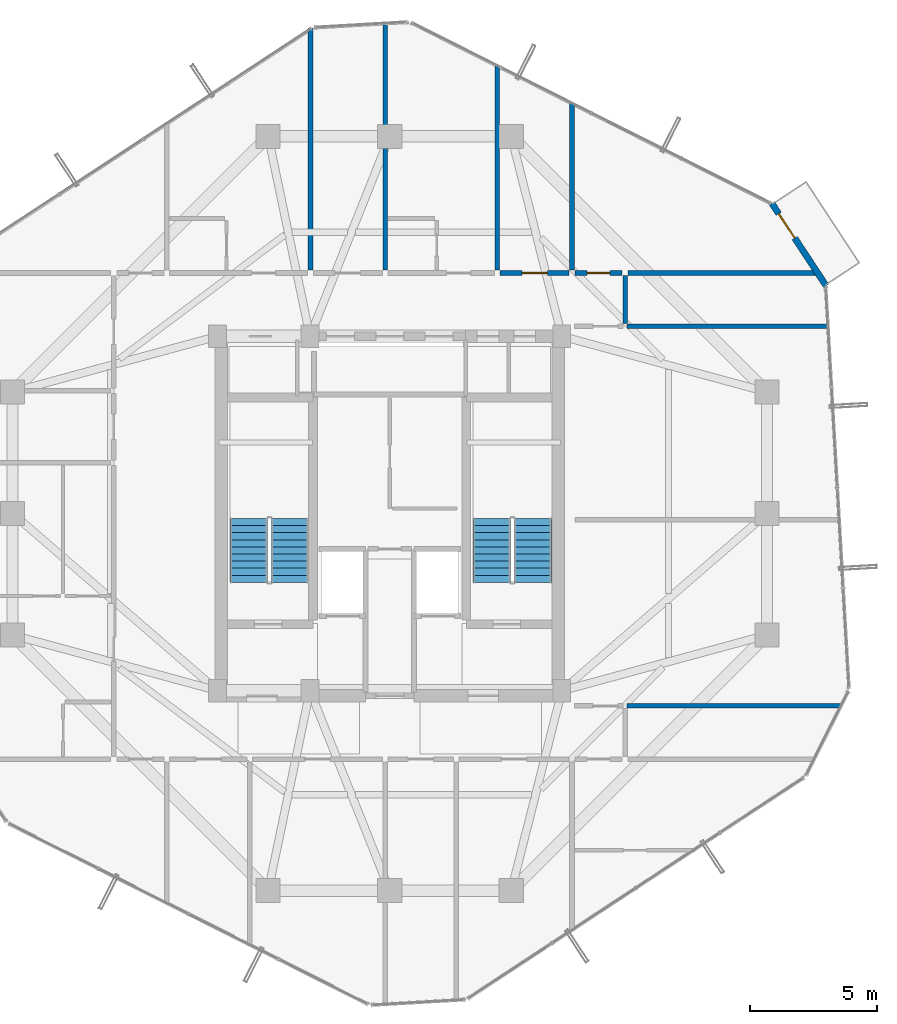
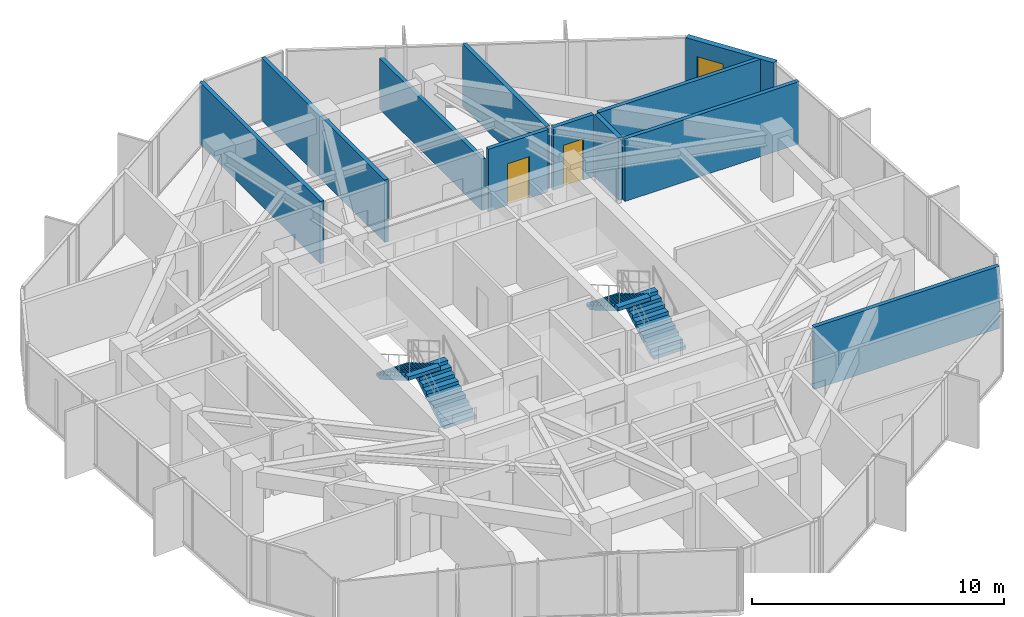
# One storey, part 31 of 33: 11 walls, 4 stair flights, 3 doors, 3 openings, 2 elements without a shape of their own.
"""IFC4 building model written with IfcOpenShell, lengths in metres."""

import ifcopenshell
import ifcopenshell.guid

model = None  # the IFC model being written
_history = None  # IfcOwnerHistory: only IFC2X3 demands one
_inside = {}  # id of a spatial element -> (the spatial element, [elements in it])
_under = {}  # id of a project, library or spatial element -> (it, [spatial elements below it])
_declared = {}  # id of a project -> (the project, [libraries it declares])
_typed = {}  # id of a type object -> (the type object, [elements of that type])
_made_of = {}  # id of a material, layer set ... -> (it, [elements and type objects made of it])


def new_model(schema):
    """Start an empty IFC model of exactly this schema.

    Asked for "IFC4X3", IfcOpenShell would pick the latest addendum, in which some entities
    have other attributes; the version numbers below select the first issue.
    IFC2X3 requires an IfcOwnerHistory on every rooted entity: one is made here for all.
    """
    global model, _history
    if schema == "IFC4X3":
        model = ifcopenshell.file(schema_version=(4, 3, 0, 0))
    else:
        model = ifcopenshell.file(schema=schema)
    _inside.clear()
    _under.clear()
    _declared.clear()
    _typed.clear()
    _made_of.clear()
    _history = None
    if model.schema == "IFC2X3":
        org = make("IfcOrganization", Name="unknown")
        user = make(
            "IfcPersonAndOrganization",
            ThePerson=make("IfcPerson", FamilyName="unknown"),
            TheOrganization=org,
        )
        app = make(
            "IfcApplication",
            ApplicationDeveloper=org,
            Version="unknown",
            ApplicationFullName="unknown",
            ApplicationIdentifier="unknown",
        )
        _history = make(
            "IfcOwnerHistory",
            OwningUser=user,
            OwningApplication=app,
            ChangeAction="ADDED",
            CreationDate=0,
        )
    return model


def make(cls, **values):
    """One entity of the class cls with the attributes given. An attribute that is None is left unset."""
    return model.create_entity(
        cls, **{name: value for name, value in values.items() if value is not None}
    )


def rooted(cls, **values):
    """An entity with a GlobalId (a new one), such as an element, a storey or a relation."""
    return make(cls, GlobalId=ifcopenshell.guid.new(), OwnerHistory=_history, **values)


def si_unit(unit_type, name, prefix=None):
    """IfcSIUnit, for example si_unit("LENGTHUNIT", "METRE", prefix="MILLI")."""
    return make("IfcSIUnit", UnitType=unit_type, Prefix=prefix, Name=name)


def assignment(units):
    """IfcUnitAssignment: the units of a project."""
    return None if units is None else make("IfcUnitAssignment", Units=units)


def point(xyz):
    """IfcCartesianPoint."""
    return None if xyz is None else make("IfcCartesianPoint", Coordinates=xyz)


def direction(xyz):
    """IfcDirection."""
    return None if xyz is None else make("IfcDirection", DirectionRatios=xyz)


def frame(location, z_axis=None, x_axis=None):
    """IfcAxis2Placement3D, a coordinate frame: its origin and axes. An axis left out is left unset."""
    return make(
        "IfcAxis2Placement3D",
        Location=point(location),
        Axis=direction(z_axis),
        RefDirection=direction(x_axis),
    )


def frame_2d(location, x_axis=None):
    """IfcAxis2Placement2D, a coordinate frame in the plane: its origin and x axis."""
    return make(
        "IfcAxis2Placement2D", Location=point(location), RefDirection=direction(x_axis)
    )


def origin():
    """The frame at (0, 0, 0) with its axes left unset."""
    return frame((0.0, 0.0, 0.0))


def place(relative_to, where):
    """IfcLocalPlacement: puts the frame where relative to a parent placement (None: the world)."""
    return make(
        "IfcLocalPlacement", PlacementRelTo=relative_to, RelativePlacement=where
    )


def context(
    kind, dimensions, precision=None, world=None, true_north=None, identifier=None
):
    """IfcGeometricRepresentationContext, for example the 3D "Model" context."""
    return make(
        "IfcGeometricRepresentationContext",
        ContextIdentifier=identifier,
        ContextType=kind,
        CoordinateSpaceDimension=dimensions,
        Precision=precision,
        WorldCoordinateSystem=world,
        TrueNorth=true_north,
    )


def subcontext(parent, identifier, kind, view, scale=None):
    """IfcGeometricRepresentationSubContext, for example "Body" below "Model"."""
    return make(
        "IfcGeometricRepresentationSubContext",
        ContextIdentifier=identifier,
        ContextType=kind,
        ParentContext=parent,
        TargetScale=scale,
        TargetView=view,
    )


def project(units=None, contexts=None):
    """IfcProject with its units and contexts."""
    return rooted(
        "IfcProject",
        Name="project",
        RepresentationContexts=contexts,
        UnitsInContext=assignment(units),
    )


def spatial(cls, under=None, at=None, **own):
    """A site, building, storey or space (cls), placed at a placement, below another one or the project."""
    s = rooted(cls, ObjectPlacement=at, **own)
    if under is not None:
        _under.setdefault(under.id(), (under, []))[1].append(s)
    return s


def polyline(points):
    """IfcPolyline through the points."""
    return make("IfcPolyline", Points=[point(p) for p in points])


def profile(cls, at=None, kind="AREA", **sizes):
    """A parametric profile (cls). Its sizes go by their IFC names, for example OverallWidth=200.0."""
    return make(cls, ProfileType=kind, Position=at, **sizes)


def rectangle(**sizes):
    """IfcRectangleProfileDef."""
    return profile("IfcRectangleProfileDef", **sizes)


def outline(outer, holes=None, kind="AREA"):
    """IfcArbitraryClosedProfileDef: a profile drawn as a closed curve; with holes, ...WithVoids."""
    if holes is None:
        return make("IfcArbitraryClosedProfileDef", ProfileType=kind, OuterCurve=outer)
    return make(
        "IfcArbitraryProfileDefWithVoids",
        ProfileType=kind,
        OuterCurve=outer,
        InnerCurves=holes,
    )


def extrude(swept, where, along, depth):
    """IfcExtrudedAreaSolid: the profile swept, set in the frame where, extruded along a direction by depth."""
    return make(
        "IfcExtrudedAreaSolid",
        SweptArea=swept,
        Position=where,
        ExtrudedDirection=direction(along),
        Depth=depth,
    )


def shape(context_of_items, identifier, shape_type, items):
    """IfcShapeRepresentation: the items that make up one representation, for example the "Body"."""
    return make(
        "IfcShapeRepresentation",
        ContextOfItems=context_of_items,
        RepresentationIdentifier=identifier,
        RepresentationType=shape_type,
        Items=items,
    )


def source(mapping_origin, context_of_items, identifier, shape_type, items):
    """IfcRepresentationMap: a shape defined once, which mapped items show again and again."""
    return make(
        "IfcRepresentationMap",
        MappingOrigin=mapping_origin,
        MappedRepresentation=shape(context_of_items, identifier, shape_type, items),
    )


def transform(
    local_origin,
    x_axis=None,
    y_axis=None,
    z_axis=None,
    scale=None,
    scale2=None,
    scale3=None,
    uniform=True,
):
    """IfcCartesianTransformationOperator3D, or its non-uniform kind. x_axis, y_axis, z_axis: its Axis1, 2, 3."""
    if uniform:
        return make(
            "IfcCartesianTransformationOperator3D",
            Axis1=direction(x_axis),
            Axis2=direction(y_axis),
            LocalOrigin=point(local_origin),
            Scale=scale,
            Axis3=direction(z_axis),
        )
    return make(
        "IfcCartesianTransformationOperator3DnonUniform",
        Axis1=direction(x_axis),
        Axis2=direction(y_axis),
        LocalOrigin=point(local_origin),
        Scale=scale,
        Axis3=direction(z_axis),
        Scale2=scale2,
        Scale3=scale3,
    )


def mapped(mapping_source, mapping_target):
    """IfcMappedItem: shows the shape of a source again, moved by a transform."""
    return make(
        "IfcMappedItem", MappingSource=mapping_source, MappingTarget=mapping_target
    )


def material(Name=None, Category=None):
    """IfcMaterial."""
    return make("IfcMaterial", Name=Name, Category=Category)


def layer(
    of_material, thickness, ventilated=None, Name=None, Category=None, Priority=None
):
    """IfcMaterialLayer: one layer of a wall or slab, of a material (None: an air gap)."""
    return make(
        "IfcMaterialLayer",
        Material=of_material,
        LayerThickness=thickness,
        IsVentilated=ventilated,
        Name=Name,
        Category=Category,
        Priority=Priority,
    )


def layer_set(layers, Name=None):
    """IfcMaterialLayerSet."""
    return make("IfcMaterialLayerSet", MaterialLayers=layers, LayerSetName=Name)


def made_of(thing, what):
    """Note that an element or type object is made of a material, layer set ...; save() writes the relation."""
    if what is not None:
        _made_of.setdefault(what.id(), (what, []))[1].append(thing)
    return thing


def type_object(cls, material=None, **own):
    """A type object (cls), such as IfcWallType, which elements share."""
    return made_of(rooted(cls, **own), material)


def element(
    cls,
    number,
    at=None,
    inside=None,
    cuts=None,
    type_object=None,
    material=None,
    context=None,
    identifier="Body",
    shape_type=None,
    held_by="IfcProductDefinitionShape",
    body=None,
    shapes=None,
    **own,
):
    """One element of the class cls, such as IfcWall. Its Tag is "e" and its number.

    at: its placement. inside: the storey or other place that contains it. cuts: it is an
    opening in that element (IfcRelVoidsElement). A single representation is given by context,
    identifier, shape_type and body (its items); several are given by shapes. held_by: the class
    of the entity that holds the representations. save() writes the other relations.
    """
    e = rooted(cls, Tag="e%d" % number, ObjectPlacement=at, **own)
    if body is not None:
        shapes = [shape(context, identifier, shape_type, body)]
    if shapes is not None:
        e.Representation = make(held_by, Representations=shapes)
    if inside is not None:
        _inside.setdefault(inside.id(), (inside, []))[1].append(e)
    if cuts is not None:
        rooted(
            "IfcRelVoidsElement", RelatingBuildingElement=cuts, RelatedOpeningElement=e
        )
    if type_object is not None:
        _typed.setdefault(type_object.id(), (type_object, []))[1].append(e)
    return made_of(e, material)


def fill(opening, filler):
    """IfcRelFillsElement: the door or window that sits in an opening."""
    return rooted(
        "IfcRelFillsElement",
        RelatingOpeningElement=opening,
        RelatedBuildingElement=filler,
    )


def aggregate(whole, parts):
    """IfcRelAggregates: a whole, such as a stair, and the parts it consists of."""
    return rooted("IfcRelAggregates", RelatingObject=whole, RelatedObjects=parts)


def save(model, path):
    """Write the relations noted so far, then the file.

    IfcRelAggregates (storeys below a building ...), IfcRelContainedInSpatialStructure (elements
    in a storey), IfcRelDefinesByType, IfcRelAssociatesMaterial and IfcRelDeclares: one each for
    every whole, place, type object, material and project.
    """
    for whole, parts in _under.values():
        aggregate(whole, parts)
    for where, things in _inside.values():
        rooted(
            "IfcRelContainedInSpatialStructure",
            RelatedElements=things,
            RelatingStructure=where,
        )
    for kind, things in _typed.values():
        rooted("IfcRelDefinesByType", RelatedObjects=things, RelatingType=kind)
    for what, things in _made_of.values():
        rooted("IfcRelAssociatesMaterial", RelatedObjects=things, RelatingMaterial=what)
    for by, libraries in _declared.values():
        rooted("IfcRelDeclares", RelatingContext=by, RelatedDefinitions=libraries)
    model.write(path)


model = new_model("IFC4")

# Units and contexts
model_context = context("Model", 3, precision=1e-05, world=origin(), true_north=direction((0.0, 1.0)))
body_context = subcontext(model_context, "Body", "Model", "MODEL_VIEW")
ifc_project = project(units=[si_unit("LENGTHUNIT", "METRE"), si_unit("AREAUNIT", "SQUARE_METRE"), si_unit("VOLUMEUNIT", "CUBIC_METRE"), si_unit("PLANEANGLEUNIT", "RADIAN"), si_unit("MASSUNIT", "GRAM", prefix="KILO")], contexts=[model_context])

# Site, building, storey
site_placement = place(None, origin())
site = spatial("IfcSite", under=ifc_project, at=site_placement, CompositionType="ELEMENT")
building_placement = place(site_placement, origin())
building = spatial("IfcBuilding", under=site, at=building_placement, Name="Veraguas Prism Commons", CompositionType="ELEMENT")
storey_placement = place(building_placement, frame((0.0, 0.0, 195.10009765625)))
storey = spatial("IfcBuildingStorey", under=building, at=storey_placement, Name="L55", CompositionType="ELEMENT", Elevation=195.10009765625)

# Walls
ifc_material_1 = material(Name="Autoclaved aerated masonry block 10 MPa", Category="masonry")
ifc_layer_1 = layer(ifc_material_1, 0.179931640625, Name="Corridor and Inter-Tenancy Partition 180", Category="masonry")
ifc_layer_set_1 = layer_set([ifc_layer_1], Name="Autoclaved aerated masonry block 10 MPa")
wall_type_1 = type_object("IfcWallType", Name="Corridor and Inter-Tenancy Partition 180", PredefinedType="PARTITIONING", material=ifc_layer_set_1)
wall_1_placement = place(storey_placement, frame((31.199951171875, 33.6201171875, 0.0), z_axis=(0.0, 0.0, 1.0), x_axis=(0.0, 1.0, 0.0)))
element("IfcWall", 1, at=wall_1_placement, inside=storey, type_object=wall_type_1, Name="WL-L55-PT011", PredefinedType="PARTITIONING", context=body_context, shape_type="SweptSolid", body=[
    extrude(rectangle(XDim=6.615966796875, YDim=0.179931640625, at=frame_2d((3.30810546875, 0.0))), origin(), (0.0, 0.0, 1.0), 3.014892578125),
])
wall_2_placement = place(storey_placement, frame((20.8701171875, 33.6201171875, 0.0), z_axis=(0.0, 0.0, 1.0), x_axis=(0.0, 1.0, 0.0)))
element("IfcWall", 2, at=wall_2_placement, inside=storey, type_object=wall_type_1, Name="WL-L55-PT013", PredefinedType="PARTITIONING", context=body_context, shape_type="SweptSolid", body=[
    extrude(rectangle(XDim=9.552490234375, YDim=0.179931640625, at=frame_2d((4.7763671875, 0.0))), origin(), (0.0, 0.0, 1.0), 3.014892578125),
])
wall_3_placement = place(storey_placement, frame((23.820068359375, 33.6201171875, 0.0), z_axis=(0.0, 0.0, 1.0), x_axis=(0.0, 1.0, 0.0)))
element("IfcWall", 3, at=wall_3_placement, inside=storey, type_object=wall_type_1, Name="WL-L55-PT017", PredefinedType="PARTITIONING", context=body_context, shape_type="SweptSolid", body=[
    extrude(rectangle(XDim=9.775146484375, YDim=0.179931640625, at=frame_2d((4.8876953125, 0.0))), origin(), (0.0, 0.0, 1.0), 3.014892578125),
])

# Wall, opening, door
wall_4_placement = place(storey_placement, frame((28.360107421875, 33.5, 0.0), z_axis=(0.0, 0.0, 1.0), x_axis=(1.0, 0.0, 0.0)))
wall_4 = element("IfcWall", 4, at=wall_4_placement, inside=storey, type_object=wall_type_1, Name="WL-L55-PT018", PredefinedType="PARTITIONING", context=body_context, shape_type="SweptSolid", body=[
    extrude(rectangle(XDim=2.72998046875, YDim=0.179931640625, at=frame_2d((1.364990234375, 0.0))), origin(), (0.0, 0.0, 1.0), 3.014892578125),
])
opening_1_placement = place(wall_4_placement, frame((0.864990234375, 0.0, 0.0)))
opening_1 = element("IfcOpeningElement", 5, at=opening_1_placement, cuts=wall_4, Name="Opening DR-13", PredefinedType="OPENING", context=body_context, shape_type="SweptSolid", body=[
    extrude(rectangle(XDim=1.0, YDim=2.010009765625, at=frame_2d((0.5, 1.0048828125))), frame((0.0, 0.099853515625, 0.0), z_axis=(0.0, -1.0, 0.0), x_axis=(1.0, 0.0, 0.0)), (0.0, 0.0, 1.0), 0.199951171875),
])
ifc_material_2 = material(Name="Steel fire-rated door assembly", Category="steel")
door_type_1 = type_object("IfcDoorType", Name="Core Accessible WC and Clinic Fire Door 1000x2010", OperationType="NOTDEFINED", PredefinedType="DOOR", material=ifc_material_2)
shared_shape_1 = source(origin(), body_context, "Body", "SweptSolid", [
    extrude(rectangle(XDim=1.0, YDim=2.010009765625, at=frame_2d((0.5, 1.0048828125))), frame((0.0, 0.02490234375, 0.0), z_axis=(0.0, -1.0, 0.0), x_axis=(1.0, 0.0, 0.0)), (0.0, 0.0, 1.0), 0.050048828125),
])
door_1_placement = place(opening_1_placement, origin())
door_1 = element("IfcDoor", 6, at=door_1_placement, inside=storey, type_object=door_type_1, Name="Quiet Study N Door", OperationType="SINGLE_SWING_RIGHT", OverallHeight=2.010009765625, OverallWidth=1.0, PredefinedType="DOOR", context=body_context, shape_type="MappedRepresentation", body=[
    mapped(shared_shape_1, transform((0.0, 0.0, 0.0), scale=1.0)),
])
fill(opening_1, door_1)

# Walls
wall_5_placement = place(storey_placement, frame((28.25, 33.6201171875, 0.0), z_axis=(0.0, 0.0, 1.0), x_axis=(0.0, 1.0, 0.0)))
element("IfcWall", 7, at=wall_5_placement, inside=storey, type_object=wall_type_1, Name="WL-L55-PT019", PredefinedType="PARTITIONING", context=body_context, shape_type="SweptSolid", body=[
    extrude(rectangle(XDim=8.098388671875, YDim=0.179931640625, at=frame_2d((4.04931640625, 0.0))), origin(), (0.0, 0.0, 1.0), 2.468994140625),
])
wall_6_placement = place(storey_placement, frame((33.300048828125, 31.5, 0.0), z_axis=(0.0, 0.0, 1.0), x_axis=(0.0, 1.0, 0.0)))
element("IfcWall", 8, at=wall_6_placement, inside=storey, type_object=wall_type_1, Name="WL-L55-PT037", PredefinedType="PARTITIONING", context=body_context, shape_type="SweptSolid", body=[
    extrude(rectangle(XDim=1.89990234375, YDim=0.179931640625, at=frame_2d((0.949951171875, 0.0))), origin(), (0.0, 0.0, 1.0), 3.014892578125),
])
wall_7_placement = place(storey_placement, frame((33.3798828125, 16.39990234375, 0.0), z_axis=(0.0, 0.0, 1.0), x_axis=(1.0, 0.0, 0.0)))
element("IfcWall", 9, at=wall_7_placement, inside=storey, type_object=wall_type_1, Name="WL-L55-PT039", PredefinedType="PARTITIONING", context=body_context, shape_type="SweptSolid", body=[
    extrude(rectangle(XDim=8.482666015625, YDim=0.179931640625, at=frame_2d((4.2412109375, 0.0))), origin(), (0.0, 0.0, 1.0), 3.014892578125),
])
wall_8_placement = place(storey_placement, frame((33.3798828125, 31.39990234375, 0.0), z_axis=(0.0, 0.0, 1.0), x_axis=(1.0, 0.0, 0.0)))
element("IfcWall", 10, at=wall_8_placement, inside=storey, type_object=wall_type_1, Name="WL-L55-PT041", PredefinedType="PARTITIONING", context=body_context, shape_type="SweptSolid", body=[
    extrude(rectangle(XDim=7.9609375, YDim=0.179931640625, at=frame_2d((3.98046875, 0.0))), origin(), (0.0, 0.0, 1.0), 3.014892578125),
])
wall_9_placement = place(storey_placement, frame((33.419921875, 33.5, 0.0), z_axis=(0.0, 0.0, 1.0), x_axis=(1.0, 0.0, 0.0)))
element("IfcWall", 11, at=wall_9_placement, inside=storey, type_object=wall_type_1, Name="WL-L55-PT047", PredefinedType="PARTITIONING", context=body_context, shape_type="SweptSolid", body=[
    extrude(rectangle(XDim=7.519287109375, YDim=0.179931640625, at=frame_2d((3.759765625, 0.0))), origin(), (0.0, 0.0, 1.0), 3.014892578125),
])

# Wall, opening, door
wall_10_placement = place(storey_placement, frame((31.320068359375, 33.5, 0.0), z_axis=(0.0, 0.0, 1.0), x_axis=(1.0, 0.0, 0.0)))
wall_10 = element("IfcWall", 12, at=wall_10_placement, inside=storey, type_object=wall_type_1, Name="WL-L55-PT048", PredefinedType="PARTITIONING", context=body_context, shape_type="SweptSolid", body=[
    extrude(rectangle(XDim=1.85986328125, YDim=0.179931640625, at=frame_2d((0.929931640625, 0.0))), origin(), (0.0, 0.0, 1.0), 3.014892578125),
])
opening_2_placement = place(wall_10_placement, frame((0.47998046875, 0.0, 0.0)))
opening_2 = element("IfcOpeningElement", 13, at=opening_2_placement, cuts=wall_10, Name="Opening DR-14", PredefinedType="OPENING", context=body_context, shape_type="SweptSolid", body=[
    extrude(rectangle(XDim=0.89990234375, YDim=2.010009765625, at=frame_2d((0.449951171875, 1.0048828125))), frame((0.0, 0.099853515625, 0.0), z_axis=(0.0, -1.0, 0.0), x_axis=(1.0, 0.0, 0.0)), (0.0, 0.0, 1.0), 0.199951171875),
])
door_type_2 = type_object("IfcDoorType", Name="Core Service Room Fire Door 900x2010", OperationType="NOTDEFINED", PredefinedType="DOOR", material=ifc_material_2)
shared_shape_2 = source(origin(), body_context, "Body", "SweptSolid", [
    extrude(rectangle(XDim=0.89990234375, YDim=2.010009765625, at=frame_2d((0.449951171875, 1.0048828125))), frame((0.0, 0.02490234375, 0.0), z_axis=(0.0, -1.0, 0.0), x_axis=(1.0, 0.0, 0.0)), (0.0, 0.0, 1.0), 0.050048828125),
])
door_2_placement = place(opening_2_placement, origin())
door_2 = element("IfcDoor", 14, at=door_2_placement, inside=storey, type_object=door_type_2, Name="Residents Corner Study Room NE Door", OperationType="SINGLE_SWING_LEFT", OverallHeight=2.010009765625, OverallWidth=0.89990234375, PredefinedType="DOOR", context=body_context, shape_type="MappedRepresentation", body=[
    mapped(shared_shape_2, transform((0.0, 0.0, 0.0), scale=1.0)),
])
fill(opening_2, door_2)

ifc_material_3 = material(Name="Precast concrete C40/50", Category="concrete")
ifc_layer_2 = layer(ifc_material_3, 0.25, Name="External Loggia and Portal Wall 250", Category="concrete")
ifc_layer_set_2 = layer_set([ifc_layer_2], Name="Precast concrete C40/50")
wall_type_2 = type_object("IfcWallType", Name="External Loggia and Portal Wall 250", PredefinedType="SOLIDWALL", material=ifc_layer_set_2)
wall_11_placement = place(storey_placement, frame((41.238525390625, 32.989990234375, 0.0), z_axis=(0.0, 0.0, 1.0), x_axis=(-0.549291135851, 0.835631047817, 0.0)))
wall_11 = element("IfcWall", 15, at=wall_11_placement, inside=storey, type_object=wall_type_2, Name="Corner Loggia Wall L55-C1", PredefinedType="SOLIDWALL", context=body_context, shape_type="SweptSolid", body=[
    extrude(rectangle(XDim=3.914306640625, YDim=0.25, at=frame_2d((1.95703125, 0.0))), origin(), (0.0, 0.0, 1.0), 3.014892578125),
])
opening_3_placement = place(wall_11_placement, frame((2.260009765625, 0.0, 0.0)))
opening_3 = element("IfcOpeningElement", 16, at=opening_3_placement, cuts=wall_11, Name="Opening DR-10", PredefinedType="OPENING", context=body_context, shape_type="SweptSolid", body=[
    extrude(rectangle(XDim=1.14990234375, YDim=2.25, at=frame_2d((0.574951171875, 1.125))), frame((0.0, 0.135009765625, 0.0), z_axis=(0.0, -1.0, 0.0), x_axis=(1.0, 0.0, 0.0)), (0.0, 0.0, 1.0), 0.27001953125),
])
ifc_material_4 = material(Name="Anodised aluminium EN AW-6063 T6", Category="aluminium")
door_type_3 = type_object("IfcDoorType", Name="Glazed Loggia and Terrace Door 1150x2250", OperationType="NOTDEFINED", PredefinedType="DOOR", material=ifc_material_4)
shared_shape_3 = source(origin(), body_context, "Body", "SweptSolid", [
    extrude(rectangle(XDim=1.14990234375, YDim=2.25, at=frame_2d((0.574951171875, 1.125))), frame((0.0, 0.02490234375, 0.0), z_axis=(0.0, -1.0, 0.0), x_axis=(1.0, 0.0, 0.0)), (0.0, 0.0, 1.0), 0.050048828125),
])
door_3_placement = place(opening_3_placement, frame((1.14990234375, 0.0, 0.0), z_axis=(0.0, 0.0, 1.0), x_axis=(-1.0, 0.0, 0.0)))
door_3 = element("IfcDoor", 17, at=door_3_placement, inside=storey, type_object=door_type_3, Name="Recessed Loggia Door L55-C1", OperationType="SINGLE_SWING_LEFT", OverallHeight=2.25, OverallWidth=1.14990234375, PredefinedType="DOOR", context=body_context, shape_type="MappedRepresentation", body=[
    mapped(shared_shape_3, transform((0.0, 0.0, 0.0), scale=1.0)),
])
fill(opening_3, door_3)

# Stair, stair flights
ifc_material_5 = material(Name="Precast concrete C45/55", Category="concrete")
stair_type = type_object("IfcStairType", Name="Dogleg Core Stair 1480W 20R 05", PredefinedType="HALF_TURN_STAIR", material=ifc_material_5)
stair_1_placement = place(storey_placement, origin())
stair_1 = element("IfcStair", 18, at=stair_1_placement, inside=storey, type_object=stair_type, Name="Protected Exit Stair ST-01 L55", PredefinedType="HALF_TURN_STAIR")
stair_flight_type = type_object("IfcStairFlightType", Name="Precast Stair Flight 1480W 10R 05", PredefinedType="STRAIGHT", material=ifc_material_5)
stair_flight_1_placement = place(storey_placement, frame((20.06005859375, 21.280029296875, 0.0), z_axis=(0.0, 0.0, 1.0), x_axis=(0.0, 1.0, 0.0)))
stair_flight_1 = element("IfcStairFlight", 19, at=stair_flight_1_placement, type_object=stair_flight_type, Name="ST-05 Flight 1", NumberOfRisers=10, NumberOfTreads=9, PredefinedType="STRAIGHT", RiserHeight=0.1625, TreadLength=0.28, context=body_context, shape_type="SweptSolid", body=[
    extrude(outline(polyline([(0.0, 0.0), (0.0, 0.16259765625), (0.280029296875, 0.16259765625), (0.280029296875, 0.324951171875), (0.56005859375, 0.324951171875), (0.56005859375, 0.487548828125), (0.840087890625, 0.487548828125), (0.840087890625, 0.64990234375), (1.1201171875, 0.64990234375), (1.1201171875, 0.8125), (1.39990234375, 0.8125), (1.39990234375, 0.97509765625), (1.679931640625, 0.97509765625), (1.679931640625, 1.137451171875), (1.9599609375, 1.137451171875), (1.9599609375, 1.300048828125), (2.239990234375, 1.300048828125), (2.239990234375, 1.46240234375), (2.52001953125, 1.46240234375), (2.52001953125, 1.625), (2.52001953125, 1.2890625), (0.298583984375, 0.0), (0.0, 0.0)])), frame((0.0, 0.739990234375, 0.0), z_axis=(0.0, -1.0, 0.0), x_axis=(1.0, 0.0, 0.0)), (0.0, 0.0, 1.0), 1.47998046875),
])
stair_flight_2_placement = place(storey_placement, frame((18.429931640625, 23.800048828125, 1.625), z_axis=(0.0, 0.0, 1.0), x_axis=(0.0, -1.0, 0.0)))
stair_flight_2 = element("IfcStairFlight", 20, at=stair_flight_2_placement, type_object=stair_flight_type, Name="ST-05 Flight 2", NumberOfRisers=10, NumberOfTreads=9, PredefinedType="STRAIGHT", RiserHeight=0.1625, TreadLength=0.28, context=body_context, shape_type="SweptSolid", body=[
    extrude(outline(polyline([(0.0, 0.0), (0.0, 0.16259765625), (0.280029296875, 0.16259765625), (0.280029296875, 0.324951171875), (0.56005859375, 0.324951171875), (0.56005859375, 0.487548828125), (0.840087890625, 0.487548828125), (0.840087890625, 0.64990234375), (1.1201171875, 0.64990234375), (1.1201171875, 0.8125), (1.39990234375, 0.8125), (1.39990234375, 0.97509765625), (1.679931640625, 0.97509765625), (1.679931640625, 1.137451171875), (1.9599609375, 1.137451171875), (1.9599609375, 1.300048828125), (2.239990234375, 1.300048828125), (2.239990234375, 1.46240234375), (2.52001953125, 1.46240234375), (2.52001953125, 1.625), (2.52001953125, 1.2890625), (0.298583984375, 0.0), (0.0, 0.0)])), frame((0.0, 0.739990234375, 0.0), z_axis=(0.0, -1.0, 0.0), x_axis=(1.0, 0.0, 0.0)), (0.0, 0.0, 1.0), 1.47998046875),
])
aggregate(stair_1, [stair_flight_1, stair_flight_2])

stair_2_placement = place(storey_placement, origin())
stair_2 = element("IfcStair", 21, at=stair_2_placement, inside=storey, type_object=stair_type, Name="Protected Exit Stair ST-02 L55", PredefinedType="HALF_TURN_STAIR")
stair_flight_3_placement = place(storey_placement, frame((29.659912109375, 21.280029296875, 0.0), z_axis=(0.0, 0.0, 1.0), x_axis=(0.0, 1.0, 0.0)))
stair_flight_3 = element("IfcStairFlight", 22, at=stair_flight_3_placement, type_object=stair_flight_type, Name="ST-05 Flight 1", NumberOfRisers=10, NumberOfTreads=9, PredefinedType="STRAIGHT", RiserHeight=0.1625, TreadLength=0.28, context=body_context, shape_type="SweptSolid", body=[
    extrude(outline(polyline([(0.0, 0.0), (0.0, 0.16259765625), (0.280029296875, 0.16259765625), (0.280029296875, 0.324951171875), (0.56005859375, 0.324951171875), (0.56005859375, 0.487548828125), (0.840087890625, 0.487548828125), (0.840087890625, 0.64990234375), (1.1201171875, 0.64990234375), (1.1201171875, 0.8125), (1.39990234375, 0.8125), (1.39990234375, 0.97509765625), (1.679931640625, 0.97509765625), (1.679931640625, 1.137451171875), (1.9599609375, 1.137451171875), (1.9599609375, 1.300048828125), (2.239990234375, 1.300048828125), (2.239990234375, 1.46240234375), (2.52001953125, 1.46240234375), (2.52001953125, 1.625), (2.52001953125, 1.2890625), (0.298583984375, 0.0), (0.0, 0.0)])), frame((0.0, 0.739990234375, 0.0), z_axis=(0.0, -1.0, 0.0), x_axis=(1.0, 0.0, 0.0)), (0.0, 0.0, 1.0), 1.47998046875),
])
stair_flight_4_placement = place(storey_placement, frame((28.030029296875, 23.800048828125, 1.625), z_axis=(0.0, 0.0, 1.0), x_axis=(0.0, -1.0, 0.0)))
stair_flight_4 = element("IfcStairFlight", 23, at=stair_flight_4_placement, type_object=stair_flight_type, Name="ST-05 Flight 2", NumberOfRisers=10, NumberOfTreads=9, PredefinedType="STRAIGHT", RiserHeight=0.1625, TreadLength=0.28, context=body_context, shape_type="SweptSolid", body=[
    extrude(outline(polyline([(0.0, 0.0), (0.0, 0.16259765625), (0.280029296875, 0.16259765625), (0.280029296875, 0.324951171875), (0.56005859375, 0.324951171875), (0.56005859375, 0.487548828125), (0.840087890625, 0.487548828125), (0.840087890625, 0.64990234375), (1.1201171875, 0.64990234375), (1.1201171875, 0.8125), (1.39990234375, 0.8125), (1.39990234375, 0.97509765625), (1.679931640625, 0.97509765625), (1.679931640625, 1.137451171875), (1.9599609375, 1.137451171875), (1.9599609375, 1.300048828125), (2.239990234375, 1.300048828125), (2.239990234375, 1.46240234375), (2.52001953125, 1.46240234375), (2.52001953125, 1.625), (2.52001953125, 1.2890625), (0.298583984375, 0.0), (0.0, 0.0)])), frame((0.0, 0.739990234375, 0.0), z_axis=(0.0, -1.0, 0.0), x_axis=(1.0, 0.0, 0.0)), (0.0, 0.0, 1.0), 1.47998046875),
])
aggregate(stair_2, [stair_flight_3, stair_flight_4])

save(model, "model.ifc")
